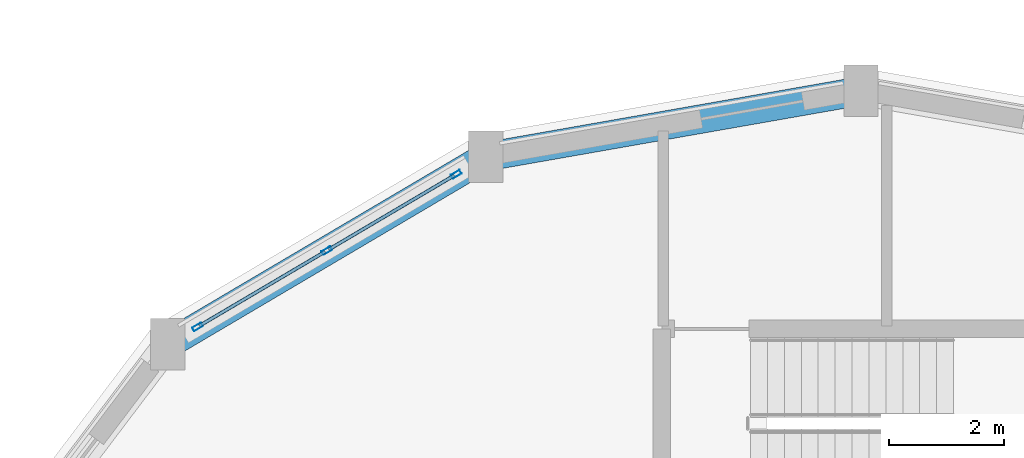
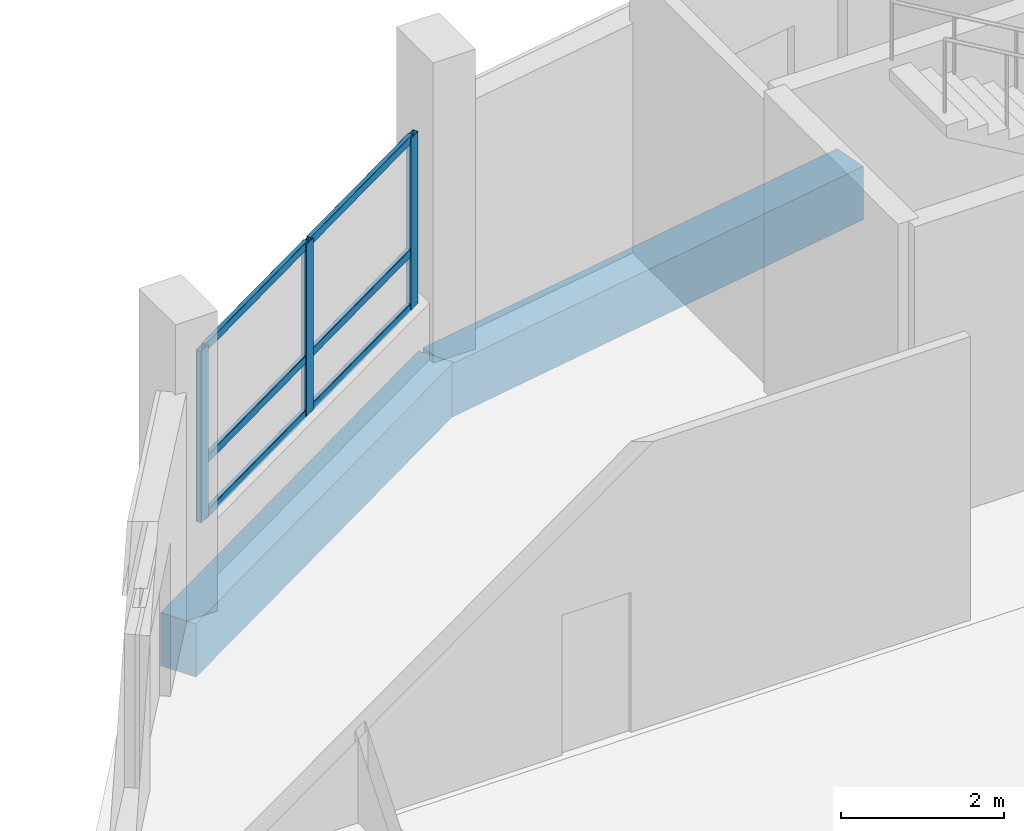
# One storey, part 96 of 129: 9 members, 2 beams, 1 element without a shape of its own.
"""IFC4 building model written with IfcOpenShell, lengths in metres."""

import ifcopenshell
import ifcopenshell.guid

model = None  # the IFC model being written
_history = None  # IfcOwnerHistory: only IFC2X3 demands one
_inside = {}  # id of a spatial element -> (the spatial element, [elements in it])
_under = {}  # id of a project, library or spatial element -> (it, [spatial elements below it])
_declared = {}  # id of a project -> (the project, [libraries it declares])
_typed = {}  # id of a type object -> (the type object, [elements of that type])
_made_of = {}  # id of a material, layer set ... -> (it, [elements and type objects made of it])


def new_model(schema):
    """Start an empty IFC model of exactly this schema.

    Asked for "IFC4X3", IfcOpenShell would pick the latest addendum, in which some entities
    have other attributes; the version numbers below select the first issue.
    IFC2X3 requires an IfcOwnerHistory on every rooted entity: one is made here for all.
    """
    global model, _history
    if schema == "IFC4X3":
        model = ifcopenshell.file(schema_version=(4, 3, 0, 0))
    else:
        model = ifcopenshell.file(schema=schema)
    _inside.clear()
    _under.clear()
    _declared.clear()
    _typed.clear()
    _made_of.clear()
    _history = None
    if model.schema == "IFC2X3":
        org = make("IfcOrganization", Name="unknown")
        user = make(
            "IfcPersonAndOrganization",
            ThePerson=make("IfcPerson", FamilyName="unknown"),
            TheOrganization=org,
        )
        app = make(
            "IfcApplication",
            ApplicationDeveloper=org,
            Version="unknown",
            ApplicationFullName="unknown",
            ApplicationIdentifier="unknown",
        )
        _history = make(
            "IfcOwnerHistory",
            OwningUser=user,
            OwningApplication=app,
            ChangeAction="ADDED",
            CreationDate=0,
        )
    return model


def make(cls, **values):
    """One entity of the class cls with the attributes given. An attribute that is None is left unset."""
    return model.create_entity(
        cls, **{name: value for name, value in values.items() if value is not None}
    )


def rooted(cls, **values):
    """An entity with a GlobalId (a new one), such as an element, a storey or a relation."""
    return make(cls, GlobalId=ifcopenshell.guid.new(), OwnerHistory=_history, **values)


def si_unit(unit_type, name, prefix=None):
    """IfcSIUnit, for example si_unit("LENGTHUNIT", "METRE", prefix="MILLI")."""
    return make("IfcSIUnit", UnitType=unit_type, Prefix=prefix, Name=name)


def assignment(units):
    """IfcUnitAssignment: the units of a project."""
    return None if units is None else make("IfcUnitAssignment", Units=units)


def point(xyz):
    """IfcCartesianPoint."""
    return None if xyz is None else make("IfcCartesianPoint", Coordinates=xyz)


def direction(xyz):
    """IfcDirection."""
    return None if xyz is None else make("IfcDirection", DirectionRatios=xyz)


def frame(location, z_axis=None, x_axis=None):
    """IfcAxis2Placement3D, a coordinate frame: its origin and axes. An axis left out is left unset."""
    return make(
        "IfcAxis2Placement3D",
        Location=point(location),
        Axis=direction(z_axis),
        RefDirection=direction(x_axis),
    )


def frame_2d(location, x_axis=None):
    """IfcAxis2Placement2D, a coordinate frame in the plane: its origin and x axis."""
    return make(
        "IfcAxis2Placement2D", Location=point(location), RefDirection=direction(x_axis)
    )


def origin():
    """The frame at (0, 0, 0) with its axes left unset."""
    return frame((0.0, 0.0, 0.0))


def origin_2d():
    """The frame at (0, 0) in the plane with its x axis left unset."""
    return frame_2d((0.0, 0.0))


def place(relative_to, where):
    """IfcLocalPlacement: puts the frame where relative to a parent placement (None: the world)."""
    return make(
        "IfcLocalPlacement", PlacementRelTo=relative_to, RelativePlacement=where
    )


def context(
    kind, dimensions, precision=None, world=None, true_north=None, identifier=None
):
    """IfcGeometricRepresentationContext, for example the 3D "Model" context."""
    return make(
        "IfcGeometricRepresentationContext",
        ContextIdentifier=identifier,
        ContextType=kind,
        CoordinateSpaceDimension=dimensions,
        Precision=precision,
        WorldCoordinateSystem=world,
        TrueNorth=true_north,
    )


def subcontext(parent, identifier, kind, view, scale=None):
    """IfcGeometricRepresentationSubContext, for example "Body" below "Model"."""
    return make(
        "IfcGeometricRepresentationSubContext",
        ContextIdentifier=identifier,
        ContextType=kind,
        ParentContext=parent,
        TargetScale=scale,
        TargetView=view,
    )


def project(units=None, contexts=None):
    """IfcProject with its units and contexts."""
    return rooted(
        "IfcProject",
        Name="project",
        RepresentationContexts=contexts,
        UnitsInContext=assignment(units),
    )


def spatial(cls, under=None, at=None, **own):
    """A site, building, storey or space (cls), placed at a placement, below another one or the project."""
    s = rooted(cls, ObjectPlacement=at, **own)
    if under is not None:
        _under.setdefault(under.id(), (under, []))[1].append(s)
    return s


def profile(cls, at=None, kind="AREA", **sizes):
    """A parametric profile (cls). Its sizes go by their IFC names, for example OverallWidth=200.0."""
    return make(cls, ProfileType=kind, Position=at, **sizes)


def rectangle(**sizes):
    """IfcRectangleProfileDef."""
    return profile("IfcRectangleProfileDef", **sizes)


def hollow_rectangle(**sizes):
    """IfcRectangleHollowProfileDef."""
    return profile("IfcRectangleHollowProfileDef", **sizes)


def extrude(swept, where, along, depth):
    """IfcExtrudedAreaSolid: the profile swept, set in the frame where, extruded along a direction by depth."""
    return make(
        "IfcExtrudedAreaSolid",
        SweptArea=swept,
        Position=where,
        ExtrudedDirection=direction(along),
        Depth=depth,
    )


def shape(context_of_items, identifier, shape_type, items):
    """IfcShapeRepresentation: the items that make up one representation, for example the "Body"."""
    return make(
        "IfcShapeRepresentation",
        ContextOfItems=context_of_items,
        RepresentationIdentifier=identifier,
        RepresentationType=shape_type,
        Items=items,
    )


def material(Name=None, Category=None):
    """IfcMaterial."""
    return make("IfcMaterial", Name=Name, Category=Category)


def layer(
    of_material, thickness, ventilated=None, Name=None, Category=None, Priority=None
):
    """IfcMaterialLayer: one layer of a wall or slab, of a material (None: an air gap)."""
    return make(
        "IfcMaterialLayer",
        Material=of_material,
        LayerThickness=thickness,
        IsVentilated=ventilated,
        Name=Name,
        Category=Category,
        Priority=Priority,
    )


def layer_set(layers, Name=None):
    """IfcMaterialLayerSet."""
    return make("IfcMaterialLayerSet", MaterialLayers=layers, LayerSetName=Name)


def material_profile(
    of_material, cross_section, Name=None, Category=None, Priority=None
):
    """IfcMaterialProfile: a cross section and its material."""
    return make(
        "IfcMaterialProfile",
        Name=Name,
        Material=of_material,
        Profile=cross_section,
        Priority=Priority,
        Category=Category,
    )


def profile_set(profiles, Name=None, composite=None):
    """IfcMaterialProfileSet."""
    return make(
        "IfcMaterialProfileSet",
        Name=Name,
        MaterialProfiles=profiles,
        CompositeProfile=composite,
    )


def made_of(thing, what):
    """Note that an element or type object is made of a material, layer set ...; save() writes the relation."""
    if what is not None:
        _made_of.setdefault(what.id(), (what, []))[1].append(thing)
    return thing


def type_object(cls, material=None, **own):
    """A type object (cls), such as IfcWallType, which elements share."""
    return made_of(rooted(cls, **own), material)


def element(
    cls,
    number,
    at=None,
    inside=None,
    cuts=None,
    type_object=None,
    material=None,
    context=None,
    identifier="Body",
    shape_type=None,
    held_by="IfcProductDefinitionShape",
    body=None,
    shapes=None,
    **own,
):
    """One element of the class cls, such as IfcWall. Its Tag is "e" and its number.

    at: its placement. inside: the storey or other place that contains it. cuts: it is an
    opening in that element (IfcRelVoidsElement). A single representation is given by context,
    identifier, shape_type and body (its items); several are given by shapes. held_by: the class
    of the entity that holds the representations. save() writes the other relations.
    """
    e = rooted(cls, Tag="e%d" % number, ObjectPlacement=at, **own)
    if body is not None:
        shapes = [shape(context, identifier, shape_type, body)]
    if shapes is not None:
        e.Representation = make(held_by, Representations=shapes)
    if inside is not None:
        _inside.setdefault(inside.id(), (inside, []))[1].append(e)
    if cuts is not None:
        rooted(
            "IfcRelVoidsElement", RelatingBuildingElement=cuts, RelatedOpeningElement=e
        )
    if type_object is not None:
        _typed.setdefault(type_object.id(), (type_object, []))[1].append(e)
    return made_of(e, material)


def aggregate(whole, parts):
    """IfcRelAggregates: a whole, such as a stair, and the parts it consists of."""
    return rooted("IfcRelAggregates", RelatingObject=whole, RelatedObjects=parts)


def save(model, path):
    """Write the relations noted so far, then the file.

    IfcRelAggregates (storeys below a building ...), IfcRelContainedInSpatialStructure (elements
    in a storey), IfcRelDefinesByType, IfcRelAssociatesMaterial and IfcRelDeclares: one each for
    every whole, place, type object, material and project.
    """
    for whole, parts in _under.values():
        aggregate(whole, parts)
    for where, things in _inside.values():
        rooted(
            "IfcRelContainedInSpatialStructure",
            RelatedElements=things,
            RelatingStructure=where,
        )
    for kind, things in _typed.values():
        rooted("IfcRelDefinesByType", RelatedObjects=things, RelatingType=kind)
    for what, things in _made_of.values():
        rooted("IfcRelAssociatesMaterial", RelatedObjects=things, RelatingMaterial=what)
    for by, libraries in _declared.values():
        rooted("IfcRelDeclares", RelatingContext=by, RelatedDefinitions=libraries)
    model.write(path)


model = new_model("IFC4")

# Units and contexts
model_context = context("Model", 3, precision=1e-05, world=origin(), true_north=direction((0.0, 1.0)))
body_context = subcontext(model_context, "Body", "Model", "MODEL_VIEW")
ifc_project = project(units=[si_unit("LENGTHUNIT", "METRE"), si_unit("AREAUNIT", "SQUARE_METRE"), si_unit("VOLUMEUNIT", "CUBIC_METRE"), si_unit("PLANEANGLEUNIT", "RADIAN"), si_unit("MASSUNIT", "GRAM", prefix="KILO")], contexts=[model_context])

# Site, building, storey
site_placement = place(None, origin())
site = spatial("IfcSite", under=ifc_project, at=site_placement, CompositionType="ELEMENT")
building_placement = place(site_placement, origin())
building = spatial("IfcBuilding", under=site, at=building_placement, Name="Vespera Passage Community Centre", CompositionType="ELEMENT")
storey_placement = place(building_placement, origin())
storey = spatial("IfcBuildingStorey", under=building, at=storey_placement, Name="L00", CompositionType="ELEMENT", Elevation=0.0)

# Beams
ifc_material_1 = material(Name="Concrete f'c 35 MPa", Category="concrete")
ifc_material_profile_1 = material_profile(ifc_material_1, rectangle(XDim=0.5, YDim=0.800048828125, at=origin_2d()), Name="RC500X800")
ifc_profile_set_1 = profile_set([ifc_material_profile_1], Name="Concrete f'c 35 MPa")
beam_type = type_object("IfcBeamType", Name="BM-SP-500X800E", PredefinedType="SPANDREL", material=ifc_profile_set_1)
beam_1_placement = place(storey_placement, frame((143.0, 104.60009765625, -0.679931640625), z_axis=(-0.984922333185, -0.172997102844, 0.0), x_axis=(0.172997102844, -0.984922333185, 0.0)))
element("IfcBeam", 1, at=beam_1_placement, inside=storey, type_object=beam_type, Name="V2 L00 Perimeter Spandrel 5", PredefinedType="SPANDREL", context=body_context, shape_type="SweptSolid", body=[
    extrude(rectangle(XDim=0.5, YDim=0.800048828125, at=origin_2d()), origin(), (0.0, 0.0, 1.0), 6.64404296875),
])
beam_2_placement = place(storey_placement, frame((136.4560546875, 103.45068359375, -0.679931640625), z_axis=(-0.861245535965, -0.508189065978, 0.0), x_axis=(0.508189065978, -0.861245535965, 0.0)))
element("IfcBeam", 2, at=beam_2_placement, inside=storey, type_object=beam_type, Name="V2 L00 Perimeter Spandrel 6", PredefinedType="SPANDREL", context=body_context, shape_type="SweptSolid", body=[
    extrude(rectangle(XDim=0.5, YDim=0.800048828125, at=origin_2d()), origin(), (0.0, 0.0, 1.0), 6.44140625),
])

# Curtain wall, members
ifc_material_2 = material(Name="Anodized aluminium 6063-T6", Category="aluminium")
ifc_layer = layer(ifc_material_2, 0.159912109375)
ifc_layer_set = layer_set([ifc_layer], Name="Anodized aluminium 6063-T6")
curtain_wall_type = type_object("IfcCurtainWallType", Name="CW-91E", PredefinedType="NOTDEFINED", material=ifc_layer_set)
curtain_wall_placement = place(storey_placement, origin())
curtain_wall = element("IfcCurtainWall", 3, at=curtain_wall_placement, inside=storey, type_object=curtain_wall_type, Name="Sports Drum Ribbon Curtain Wall L00.6", PredefinedType="NOTDEFINED")
ifc_material_3 = material(Name="Anodized aluminium 6063-T6", Category="aluminium")
ifc_material_profile_2 = material_profile(ifc_material_3, hollow_rectangle(XDim=0.074951171875, YDim=0.179931640625, WallThickness=0.0048828125, InnerFilletRadius=0.00244140625, OuterFilletRadius=0.0048828125, at=origin_2d()), Name="ALU180X75X5")
ifc_profile_set_2 = profile_set([ifc_material_profile_2], Name="Anodized aluminium 6063-T6")
member_type_1 = type_object("IfcMemberType", Name="MB-CWM-180E", PredefinedType="MULLION", material=ifc_profile_set_2)
member_1_placement = place(storey_placement, frame((131.426025390625, 100.482666015625, 0.85009765625), z_axis=(0.0, 0.0, 1.0), x_axis=(-0.50817007737, 0.861256740157, 0.0)))
member_1 = element("IfcMember", 4, at=member_1_placement, type_object=member_type_1, Name="CW-91E mullion 1", PredefinedType="MULLION", context=body_context, shape_type="SweptSolid", body=[
    extrude(hollow_rectangle(XDim=0.074951171875, YDim=0.179931640625, WallThickness=0.0048828125, InnerFilletRadius=0.00244140625, OuterFilletRadius=0.0048828125, at=origin_2d()), origin(), (0.0, 0.0, 1.0), 2.574951171875),
])
member_2_placement = place(storey_placement, frame((133.682373046875, 101.81396484375, 0.85009765625), z_axis=(0.0, 0.0, 1.0), x_axis=(-0.50817007737, 0.861256740157, 0.0)))
member_2 = element("IfcMember", 5, at=member_2_placement, type_object=member_type_1, Name="CW-91E mullion 2", PredefinedType="MULLION", context=body_context, shape_type="SweptSolid", body=[
    extrude(hollow_rectangle(XDim=0.074951171875, YDim=0.179931640625, WallThickness=0.0048828125, InnerFilletRadius=0.00244140625, OuterFilletRadius=0.0048828125, at=origin_2d()), origin(), (0.0, 0.0, 1.0), 2.574951171875),
])
member_3_placement = place(storey_placement, frame((135.938720703125, 103.145263671875, 0.85009765625), z_axis=(0.0, 0.0, 1.0), x_axis=(-0.50817007737, 0.861256740157, 0.0)))
member_3 = element("IfcMember", 6, at=member_3_placement, type_object=member_type_1, Name="CW-91E mullion 3", PredefinedType="MULLION", context=body_context, shape_type="SweptSolid", body=[
    extrude(hollow_rectangle(XDim=0.074951171875, YDim=0.179931640625, WallThickness=0.0048828125, InnerFilletRadius=0.00244140625, OuterFilletRadius=0.0048828125, at=origin_2d()), origin(), (0.0, 0.0, 1.0), 2.574951171875),
])
ifc_material_4 = material(Name="Anodized aluminium 6063-T6", Category="aluminium")
ifc_material_profile_3 = material_profile(ifc_material_4, hollow_rectangle(XDim=0.06005859375, YDim=0.1201171875, WallThickness=0.00390625, InnerFilletRadius=0.001953125, OuterFilletRadius=0.00390625, at=origin_2d()), Name="ALU120X60X4")
ifc_profile_set_3 = profile_set([ifc_material_profile_3], Name="Anodized aluminium 6063-T6")
member_type_2 = type_object("IfcMemberType", Name="MB-CWT-120E", PredefinedType="USERDEFINED", material=ifc_profile_set_3)
member_4_placement = place(storey_placement, frame((131.458251953125, 100.501708984375, 0.8798828125), z_axis=(0.861245323455, 0.508189426127, 0.0), x_axis=(-0.508189426127, 0.861245323455, 0.0)))
member_4 = element("IfcMember", 7, at=member_4_placement, type_object=member_type_2, Name="CW-91E transom 1.1", ObjectType="TRANSOM", PredefinedType="USERDEFINED", context=body_context, shape_type="SweptSolid", body=[
    extrude(hollow_rectangle(XDim=0.06005859375, YDim=0.1201171875, WallThickness=0.00390625, InnerFilletRadius=0.001953125, OuterFilletRadius=0.00390625, at=origin_2d()), origin(), (0.0, 0.0, 1.0), 2.544677734375),
])
member_5_placement = place(storey_placement, frame((131.458251953125, 100.501708984375, 1.699951171875), z_axis=(0.861245323455, 0.508189426127, 0.0), x_axis=(-0.508189426127, 0.861245323455, 0.0)))
member_5 = element("IfcMember", 8, at=member_5_placement, type_object=member_type_2, Name="CW-91E transom 1.2", ObjectType="TRANSOM", PredefinedType="USERDEFINED", context=body_context, shape_type="SweptSolid", body=[
    extrude(hollow_rectangle(XDim=0.06005859375, YDim=0.1201171875, WallThickness=0.00390625, InnerFilletRadius=0.001953125, OuterFilletRadius=0.00390625, at=origin_2d()), origin(), (0.0, 0.0, 1.0), 2.544677734375),
])
member_6_placement = place(storey_placement, frame((131.458251953125, 100.501708984375, 3.39501953125), z_axis=(0.861245323455, 0.508189426127, 0.0), x_axis=(-0.508189426127, 0.861245323455, 0.0)))
member_6 = element("IfcMember", 9, at=member_6_placement, type_object=member_type_2, Name="CW-91E transom 1.3", ObjectType="TRANSOM", PredefinedType="USERDEFINED", context=body_context, shape_type="SweptSolid", body=[
    extrude(hollow_rectangle(XDim=0.06005859375, YDim=0.1201171875, WallThickness=0.00390625, InnerFilletRadius=0.001953125, OuterFilletRadius=0.00390625, at=origin_2d()), origin(), (0.0, 0.0, 1.0), 2.544677734375),
])
member_7_placement = place(storey_placement, frame((133.714599609375, 101.8330078125, 0.8798828125), z_axis=(0.861245323455, 0.508189426127, 0.0), x_axis=(-0.508189426127, 0.861245323455, 0.0)))
member_7 = element("IfcMember", 10, at=member_7_placement, type_object=member_type_2, Name="CW-91E transom 2.1", ObjectType="TRANSOM", PredefinedType="USERDEFINED", context=body_context, shape_type="SweptSolid", body=[
    extrude(hollow_rectangle(XDim=0.06005859375, YDim=0.1201171875, WallThickness=0.00390625, InnerFilletRadius=0.001953125, OuterFilletRadius=0.00390625, at=origin_2d()), origin(), (0.0, 0.0, 1.0), 2.544677734375),
])
member_8_placement = place(storey_placement, frame((133.714599609375, 101.8330078125, 1.699951171875), z_axis=(0.861245323455, 0.508189426127, 0.0), x_axis=(-0.508189426127, 0.861245323455, 0.0)))
member_8 = element("IfcMember", 11, at=member_8_placement, type_object=member_type_2, Name="CW-91E transom 2.2", ObjectType="TRANSOM", PredefinedType="USERDEFINED", context=body_context, shape_type="SweptSolid", body=[
    extrude(hollow_rectangle(XDim=0.06005859375, YDim=0.1201171875, WallThickness=0.00390625, InnerFilletRadius=0.001953125, OuterFilletRadius=0.00390625, at=origin_2d()), origin(), (0.0, 0.0, 1.0), 2.544677734375),
])
member_9_placement = place(storey_placement, frame((133.714599609375, 101.8330078125, 3.39501953125), z_axis=(0.861245323455, 0.508189426127, 0.0), x_axis=(-0.508189426127, 0.861245323455, 0.0)))
member_9 = element("IfcMember", 12, at=member_9_placement, type_object=member_type_2, Name="CW-91E transom 2.3", ObjectType="TRANSOM", PredefinedType="USERDEFINED", context=body_context, shape_type="SweptSolid", body=[
    extrude(hollow_rectangle(XDim=0.06005859375, YDim=0.1201171875, WallThickness=0.00390625, InnerFilletRadius=0.001953125, OuterFilletRadius=0.00390625, at=origin_2d()), origin(), (0.0, 0.0, 1.0), 2.544677734375),
])
aggregate(curtain_wall, [member_1, member_2, member_3, member_4, member_5, member_6, member_7, member_8, member_9])

save(model, "model.ifc")
